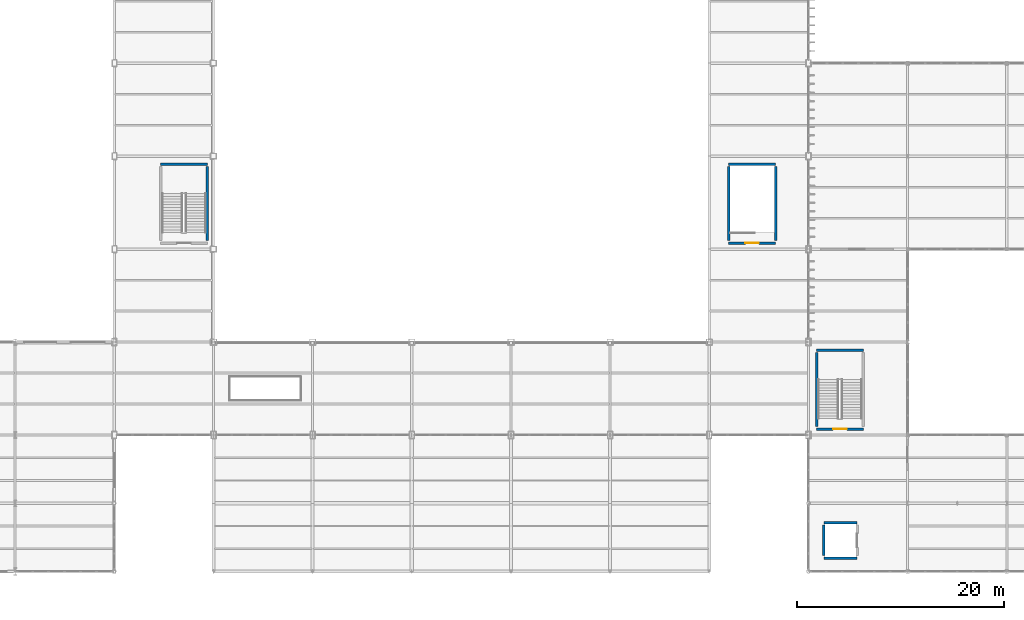
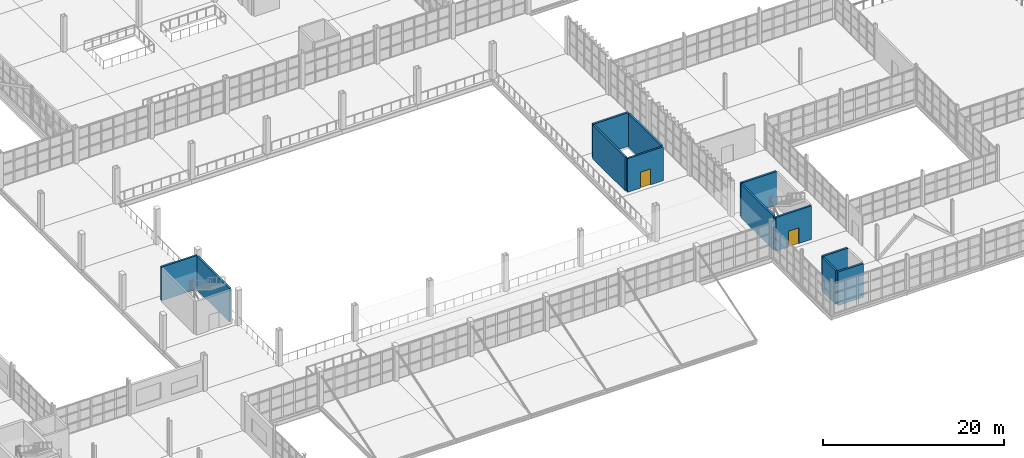
# One storey, part 109 of 120: 12 walls, 2 doors, 2 openings.
"""IFC4 building model written with IfcOpenShell, lengths in metres."""

from ifc_helpers import new_model, si_unit, direction, frame, frame_2d, origin, place, context, subcontext, project, spatial, rectangle, extrude, material, layer, layer_set, type_object, element, fill, save


model = new_model("IFC4")

# Units and contexts
model_context = context("Model", 3, precision=1e-05, world=origin(), true_north=direction((0.0, 1.0)))
body_context = subcontext(model_context, "Body", "Model", "MODEL_VIEW")
ifc_project = project(units=[si_unit("LENGTHUNIT", "METRE"), si_unit("AREAUNIT", "SQUARE_METRE"), si_unit("VOLUMEUNIT", "CUBIC_METRE"), si_unit("PLANEANGLEUNIT", "RADIAN"), si_unit("MASSUNIT", "GRAM", prefix="KILO")], contexts=[model_context])

# Site, building, storey
site_placement = place(None, origin())
site = spatial("IfcSite", under=ifc_project, at=site_placement, CompositionType="ELEMENT")
building_placement = place(site_placement, origin())
building = spatial("IfcBuilding", under=site, at=building_placement, Name="Zarnetskaya Central Station", CompositionType="ELEMENT")
storey_placement = place(building_placement, frame((0.0, 0.0, 5.39990234375)))
storey = spatial("IfcBuildingStorey", under=building, at=storey_placement, Name="L01", CompositionType="ELEMENT", Elevation=5.39990234375)

# Walls
ifc_material_1 = material(Name="Concrete C35/45", Category="concrete")
ifc_layer = layer(ifc_material_1, 0.239990234375, Name="Concrete C35/45", Category="concrete")
ifc_layer_set = layer_set([ifc_layer], Name="Concrete C35/45")
wall_type = type_object("IfcWallType", Name="WALL-SHFT-240", PredefinedType="SHEAR", material=ifc_layer_set)
for number, where, z_axis, x_axis, name in (
    (1, (129.52001953125, 1.280029296875, 0.0), (0.0, 0.0, 1.0), (-1.0, 0.0, 0.0), "Core shear wall WSHF-L01-0181"),
    (2, (126.280029296875, 4.719970703125, 0.0), (0.0, 0.0, 1.0), (1.0, 0.0, 0.0), "Core shear wall WSHF-L01-0182"),
):
    element("IfcWall", number, at=place(storey_placement, frame(where, z_axis=z_axis, x_axis=x_axis)), inside=storey, type_object=wall_type, Name=name, PredefinedType="SHEAR", context=body_context, shape_type="SweptSolid", body=[
        extrude(rectangle(XDim=3.239990234375, YDim=0.239990234375, at=frame_2d((1.6201171875, 0.0))), origin(), (0.0, 0.0, 1.0), 4.5400390625),
    ])
wall_1_placement = place(storey_placement, frame((126.280029296875, 1.52001953125, 0.0), z_axis=(0.0, 0.0, 1.0), x_axis=(0.0, 1.0, 0.0)))
element("IfcWall", 3, at=wall_1_placement, inside=storey, type_object=wall_type, Name="Core shear wall WSHF-L01-0183", PredefinedType="SHEAR", context=body_context, shape_type="SweptSolid", body=[
    extrude(rectangle(XDim=2.9599609375, YDim=0.239990234375, at=frame_2d((1.47998046875, 0.0))), origin(), (0.0, 0.0, 1.0), 4.5400390625),
])
wall_2_placement = place(storey_placement, frame((62.080078125, 39.419921875, 0.0), z_axis=(0.0, 0.0, 1.0), x_axis=(1.0, 0.0, 0.0)))
element("IfcWall", 4, at=wall_2_placement, inside=storey, type_object=wall_type, Name="Core shear wall WSTR-L01-0278", PredefinedType="SHEAR", context=body_context, shape_type="SweptSolid", body=[
    extrude(rectangle(XDim=4.5400390625, YDim=0.239990234375, at=frame_2d((2.27001953125, 0.0))), origin(), (0.0, 0.0, 1.0), 4.5400390625),
])
wall_3_placement = place(storey_placement, frame((66.6201171875, 39.179931640625, 0.0), z_axis=(0.0, 0.0, 1.0), x_axis=(0.0, -1.0, 0.0)))
element("IfcWall", 5, at=wall_3_placement, inside=storey, type_object=wall_type, Name="Core shear wall WSTR-L01-0280", PredefinedType="SHEAR", context=body_context, shape_type="SweptSolid", body=[
    extrude(rectangle(XDim=7.159912109375, YDim=0.239990234375, at=frame_2d((3.580078125, 0.0))), origin(), (0.0, 0.0, 1.0), 4.5400390625),
])

# Wall, opening, door
wall_4_placement = place(storey_placement, frame((130.1201171875, 13.780029296875, 0.0), z_axis=(0.0, 0.0, 1.0), x_axis=(-1.0, 0.0, 0.0)))
wall_4 = element("IfcWall", 6, at=wall_4_placement, inside=storey, type_object=wall_type, Name="Core shear wall WSTR-L01-0293", PredefinedType="SHEAR", context=body_context, shape_type="SweptSolid", body=[
    extrude(rectangle(XDim=4.5400390625, YDim=0.239990234375, at=frame_2d((2.27001953125, 0.0))), origin(), (0.0, 0.0, 1.0), 4.5400390625),
])
opening_1_placement = place(wall_4_placement, frame((1.610107421875, 0.0, 0.0)))
opening_1 = element("IfcOpeningElement", 7, at=opening_1_placement, cuts=wall_4, Name="Opening DR-FD60", PredefinedType="OPENING", context=body_context, shape_type="SweptSolid", body=[
    extrude(rectangle(XDim=1.320068359375, YDim=2.14990234375, at=frame_2d((0.66015625, 1.074951171875))), frame((0.0, 0.1298828125, 0.0), z_axis=(0.0, -1.0, 0.0), x_axis=(1.0, 0.0, 0.0)), (0.0, 0.0, 1.0), 0.260009765625),
])
ifc_material_2 = material(Name="Anodised aluminium", Category="aluminium")
door_type = type_object("IfcDoorType", Name="DR-FIRE-STAIR", OperationType="NOTDEFINED", PredefinedType="DOOR", material=ifc_material_2)
door_1_placement = place(opening_1_placement, origin())
door_1 = element("IfcDoor", 8, at=door_1_placement, inside=storey, type_object=door_type, Name="Protected exit stair door ST-V1 L01", OperationType="SINGLE_SWING_RIGHT", OverallHeight=2.14990234375, OverallWidth=1.320068359375, PredefinedType="DOOR", context=body_context, shape_type="SweptSolid", body=[
    extrude(rectangle(XDim=1.320068359375, YDim=2.14990234375, at=frame_2d((0.66015625, 1.074951171875))), frame((0.0, 0.02490234375, 0.0), z_axis=(0.0, -1.0, 0.0), x_axis=(1.0, 0.0, 0.0)), (0.0, 0.0, 1.0), 0.050048828125),
])
fill(opening_1, door_1)

# Walls
wall_5_placement = place(storey_placement, frame((125.580078125, 21.419921875, 0.0), z_axis=(0.0, 0.0, 1.0), x_axis=(1.0, 0.0, 0.0)))
element("IfcWall", 9, at=wall_5_placement, inside=storey, type_object=wall_type, Name="Core shear wall WSTR-L01-0294", PredefinedType="SHEAR", context=body_context, shape_type="SweptSolid", body=[
    extrude(rectangle(XDim=4.5400390625, YDim=0.239990234375, at=frame_2d((2.27001953125, 0.0))), origin(), (0.0, 0.0, 1.0), 4.5400390625),
])
wall_6_placement = place(storey_placement, frame((125.580078125, 14.02001953125, 0.0), z_axis=(0.0, 0.0, 1.0), x_axis=(0.0, 1.0, 0.0)))
element("IfcWall", 10, at=wall_6_placement, inside=storey, type_object=wall_type, Name="Core shear wall WSTR-L01-0295", PredefinedType="SHEAR", context=body_context, shape_type="SweptSolid", body=[
    extrude(rectangle(XDim=7.159912109375, YDim=0.239990234375, at=frame_2d((3.580078125, 0.0))), origin(), (0.0, 0.0, 1.0), 4.5400390625),
])

# Wall, opening, door
wall_7_placement = place(storey_placement, frame((121.6201171875, 31.780029296875, 0.0), z_axis=(0.0, 0.0, 1.0), x_axis=(-1.0, 0.0, 0.0)))
wall_7 = element("IfcWall", 11, at=wall_7_placement, inside=storey, type_object=wall_type, Name="Core shear wall WSTR-L01-0337", PredefinedType="SHEAR", context=body_context, shape_type="SweptSolid", body=[
    extrude(rectangle(XDim=4.5400390625, YDim=0.239990234375, at=frame_2d((2.27001953125, 0.0))), origin(), (0.0, 0.0, 1.0), 4.5400390625),
])
opening_2_placement = place(wall_7_placement, frame((1.610107421875, 0.0, 0.0)))
opening_2 = element("IfcOpeningElement", 12, at=opening_2_placement, cuts=wall_7, Name="Opening DR-FD60", PredefinedType="OPENING", context=body_context, shape_type="SweptSolid", body=[
    extrude(rectangle(XDim=1.320068359375, YDim=2.14990234375, at=frame_2d((0.66015625, 1.074951171875))), frame((0.0, 0.1298828125, 0.0), z_axis=(0.0, -1.0, 0.0), x_axis=(1.0, 0.0, 0.0)), (0.0, 0.0, 1.0), 0.260009765625),
])
door_2_placement = place(opening_2_placement, origin())
door_2 = element("IfcDoor", 13, at=door_2_placement, inside=storey, type_object=door_type, Name="Protected exit stair door ST-E1 L01", OperationType="SINGLE_SWING_LEFT", OverallHeight=2.14990234375, OverallWidth=1.320068359375, PredefinedType="DOOR", context=body_context, shape_type="SweptSolid", body=[
    extrude(rectangle(XDim=1.320068359375, YDim=2.14990234375, at=frame_2d((0.66015625, 1.074951171875))), frame((0.0, 0.02490234375, 0.0), z_axis=(0.0, -1.0, 0.0), x_axis=(1.0, 0.0, 0.0)), (0.0, 0.0, 1.0), 0.050048828125),
])
fill(opening_2, door_2)

# Walls
wall_8_placement = place(storey_placement, frame((117.080078125, 39.419921875, 0.0), z_axis=(0.0, 0.0, 1.0), x_axis=(1.0, 0.0, 0.0)))
element("IfcWall", 14, at=wall_8_placement, inside=storey, type_object=wall_type, Name="Core shear wall WSTR-L01-0338", PredefinedType="SHEAR", context=body_context, shape_type="SweptSolid", body=[
    extrude(rectangle(XDim=4.5400390625, YDim=0.239990234375, at=frame_2d((2.27001953125, 0.0))), origin(), (0.0, 0.0, 1.0), 4.5400390625),
])
for number, where, z_axis, x_axis, name in (
    (15, (117.080078125, 32.02001953125, 0.0), (0.0, 0.0, 1.0), (0.0, 1.0, 0.0), "Core shear wall WSTR-L01-0339"),
    (16, (121.6201171875, 39.179931640625, 0.0), (0.0, 0.0, 1.0), (0.0, -1.0, 0.0), "Core shear wall WSTR-L01-0340"),
):
    element("IfcWall", number, at=place(storey_placement, frame(where, z_axis=z_axis, x_axis=x_axis)), inside=storey, type_object=wall_type, Name=name, PredefinedType="SHEAR", context=body_context, shape_type="SweptSolid", body=[
        extrude(rectangle(XDim=7.159912109375, YDim=0.239990234375, at=frame_2d((3.580078125, 0.0))), origin(), (0.0, 0.0, 1.0), 4.5400390625),
    ])

save(model, "model.ifc")
